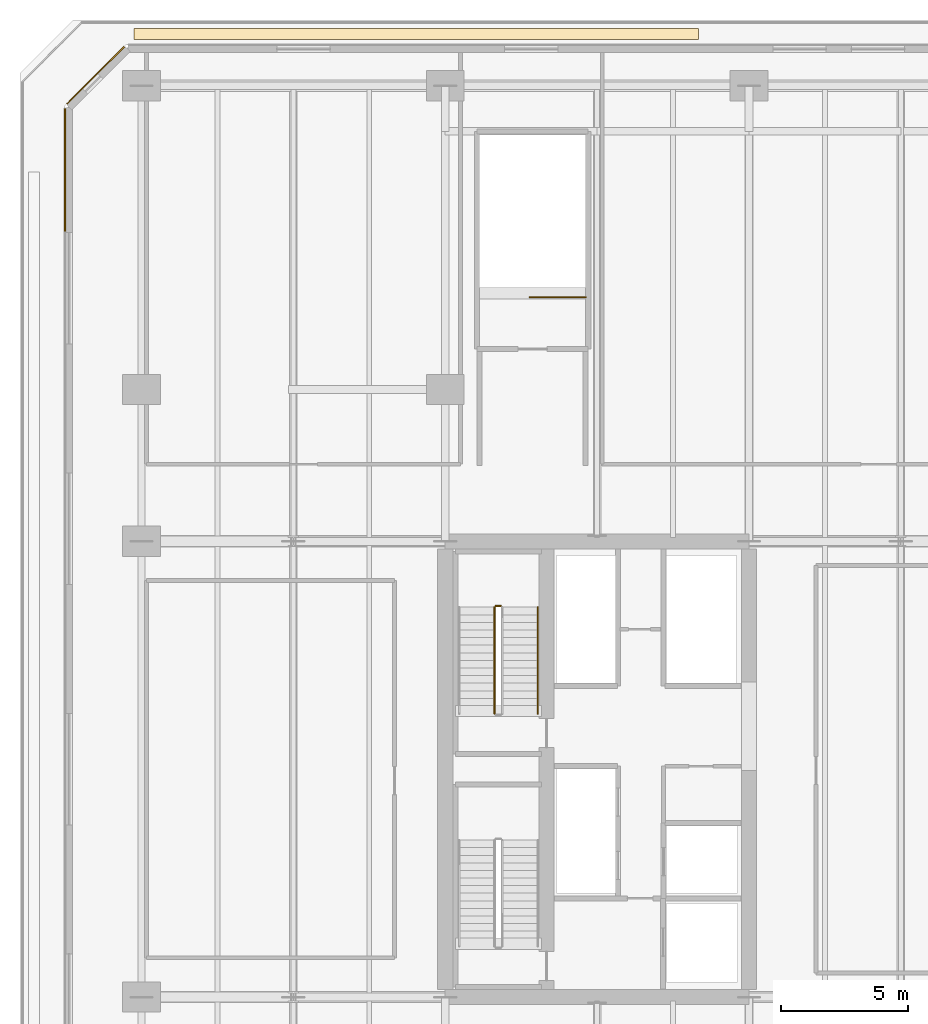
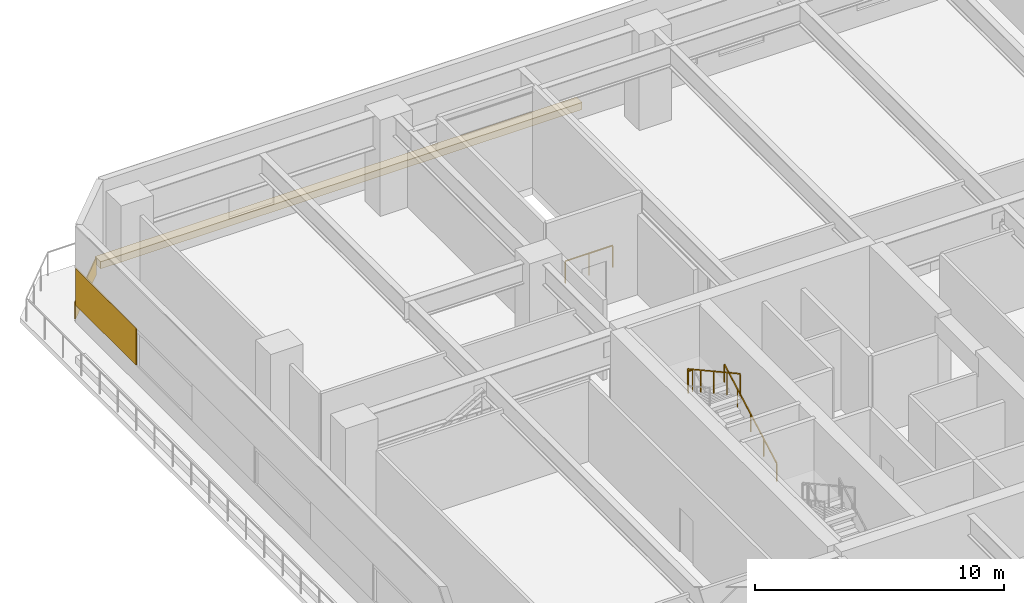
# One storey, part 20 of 25: 4 railings, 3 coverings.
"""IFC4 building model written with IfcOpenShell, lengths in metres."""

from ifc_helpers import new_model, si_unit, direction, frame, origin, origin_2d, place, context, subcontext, project, spatial, polyline, rectangle, outline, extrude, material, layer, layer_set, type_object, element, save


model = new_model("IFC4")

# Units and contexts
model_context = context("Model", 3, precision=1e-05, world=origin(), true_north=direction((0.0, 1.0)))
body_context = subcontext(model_context, "Body", "Model", "MODEL_VIEW")
ifc_project = project(units=[si_unit("LENGTHUNIT", "METRE"), si_unit("AREAUNIT", "SQUARE_METRE"), si_unit("VOLUMEUNIT", "CUBIC_METRE"), si_unit("PLANEANGLEUNIT", "RADIAN"), si_unit("MASSUNIT", "GRAM", prefix="KILO")], contexts=[model_context])

# Site, building, storey
site_placement = place(None, origin())
site = spatial("IfcSite", under=ifc_project, at=site_placement, CompositionType="ELEMENT")
building_placement = place(site_placement, origin())
building = spatial("IfcBuilding", under=site, at=building_placement, Name="Tanjung Sevakor Pilgrim Tower", CompositionType="ELEMENT")
storey_placement = place(building_placement, frame((0.0, 0.0, 24.090087890625)))
storey = spatial("IfcBuildingStorey", under=building, at=storey_placement, Name="L06", CompositionType="ELEMENT", Elevation=24.090087890625)

# Coverings
ifc_material_1 = material(Name="Reconstructed Limestone Cladding", Category="masonry")
ifc_layer_1 = layer(ifc_material_1, 0.044921875)
ifc_layer_set_1 = layer_set([ifc_layer_1], Name="COV-CLAD-LIMESTONE")
covering_type_1 = type_object("IfcCoveringType", Name="COV-CLAD-LIMESTONE", PredefinedType="CLADDING", material=ifc_layer_set_1)
covering_1_placement = place(storey_placement, frame((10.18408203125, 61.015869140625, 0.009765625), z_axis=(0.0, 0.0, 1.0), x_axis=(-0.707106781187, -0.707106781187, 0.0)))
element("IfcCovering", 1, at=covering_1_placement, inside=storey, type_object=covering_type_1, Name="L06 Warm Limestone Sill Spandrel EW-L06-MAIN-6-1", PredefinedType="CLADDING", context=body_context, shape_type="SweptSolid", body=[
    extrude(rectangle(XDim=3.197998046875, YDim=0.044921875, at=origin_2d()), origin(), (0.0, 0.0, 1.0), 0.840087890625),
])
covering_2_placement = place(storey_placement, frame((8.9775390625, 57.27587890625, 0.849853515625), z_axis=(0.0, 0.0, 1.0), x_axis=(0.0, -1.0, 0.0)))
element("IfcCovering", 2, at=covering_2_placement, inside=storey, type_object=covering_type_1, Name="L06 Warm Limestone Pier Panel EW-L06-MAIN-7-1", PredefinedType="CLADDING", context=body_context, shape_type="SweptSolid", body=[
    extrude(rectangle(XDim=4.85205078125, YDim=0.044921875, at=origin_2d()), origin(), (0.0, 0.0, 1.0), 1.81005859375),
])
ifc_material_2 = material(Name="Vegetated Modular Planter Assembly", Category="organic")
ifc_layer_2 = layer(ifc_material_2, 0.35009765625)
ifc_layer_set_2 = layer_set([ifc_layer_2], Name="COV-GRN-TROUGH")
covering_type_2 = type_object("IfcCoveringType", Name="COV-GRN-TROUGH", PredefinedType="CLADDING", material=ifc_layer_set_2)
covering_3_placement = place(storey_placement, origin())
element("IfcCovering", 3, at=covering_3_placement, inside=storey, type_object=covering_type_2, Name="L06 Planted Landscape Hedge Trough PGRN-L06-NW", PredefinedType="CLADDING", context=body_context, shape_type="SweptSolid", body=[
    extrude(outline(polyline([(11.699951171875, 62.429931640625), (34.0, 62.429931640625), (34.0, 62.8701171875), (11.699951171875, 62.8701171875), (11.699951171875, 62.429931640625)])), origin(), (0.0, 0.0, 1.0), 0.349853515625),
])

# Railings
ifc_material_3 = material(Name="Steel S355J2", Category="steel")
railing_type_1 = type_object("IfcRailingType", Name="RL-STAIR-GUARD", PredefinedType="GUARDRAIL", material=ifc_material_3)
railing_1_placement = place(storey_placement, frame((26.199951171875, 40.050048828125, 2.474853515625)))
element("IfcRailing", 4, at=railing_1_placement, inside=storey, type_object=railing_type_1, Name="L06 TS-W2 stair guard 2", PredefinedType="GUARDRAIL", context=body_context, shape_type="SweptSolid", body=[
    extrude(rectangle(XDim=0.0479, YDim=0.0479), frame((0.0, 0.0, 1.076171875), z_axis=(-1.0, 0.0, 0.0), x_axis=(0.0, -1.0, 0.0)), (0.0, 0.0, 1.0), 0.199951171875),
    extrude(rectangle(XDim=0.042, YDim=0.042), origin(), (0.0, 0.0, 1.0), 1.052001953125),
    extrude(rectangle(XDim=0.042, YDim=0.042), frame((-0.199951171875, 0.0, 0.0)), (0.0, 0.0, 1.0), 1.052001953125),
])
railing_2_placement = place(storey_placement, frame((25.949951171875, 40.0, 2.639892578125)))
element("IfcRailing", 5, at=railing_2_placement, inside=storey, type_object=railing_type_1, Name="L06 TS-W2 stair guard 3", PredefinedType="GUARDRAIL", context=body_context, shape_type="SweptSolid", body=[
    extrude(rectangle(XDim=0.0479, YDim=0.0479), frame((0.0, 0.0, 1.076171875), z_axis=(0.0, -0.876208380975, 0.481932436249), x_axis=(1.0, 0.0, 0.0)), (0.0, 0.0, 1.0), 4.793212890625),
    extrude(rectangle(XDim=0.042, YDim=0.042), origin(), (0.0, 0.0, 1.0), 1.052001953125),
    extrude(rectangle(XDim=0.042, YDim=0.042), frame((0.0, -1.050048828125, 0.57763671875)), (0.0, 0.0, 1.0), 1.052001953125),
    extrude(rectangle(XDim=0.042, YDim=0.042), frame((0.0, -2.10009765625, 1.155029296875)), (0.0, 0.0, 1.0), 1.052001953125),
    extrude(rectangle(XDim=0.042, YDim=0.042), frame((0.0, -3.14990234375, 1.732421875)), (0.0, 0.0, 1.0), 1.052001953125),
    extrude(rectangle(XDim=0.042, YDim=0.042), frame((0.0, -4.199951171875, 2.31005859375)), (0.0, 0.0, 1.0), 1.052001953125),
])
railing_3_placement = place(storey_placement, frame((29.550048828125, 52.25, 0.0)))
element("IfcRailing", 6, at=railing_3_placement, inside=storey, type_object=railing_type_1, Name="L06 PS-2 top well guard 1", PredefinedType="GUARDRAIL", context=body_context, shape_type="SweptSolid", body=[
    extrude(rectangle(XDim=0.0479, YDim=0.0479), frame((0.0, 0.0, 1.076171875), z_axis=(-1.0, 0.0, 0.0), x_axis=(0.0, -1.0, 0.0)), (0.0, 0.0, 1.0), 2.199951171875),
    extrude(rectangle(XDim=0.042, YDim=0.042), origin(), (0.0, 0.0, 1.0), 1.052001953125),
    extrude(rectangle(XDim=0.042, YDim=0.042), frame((-1.10009765625, 0.0, 0.0)), (0.0, 0.0, 1.0), 1.052001953125),
    extrude(rectangle(XDim=0.042, YDim=0.042), frame((-2.199951171875, 0.0, 0.0)), (0.0, 0.0, 1.0), 1.052001953125),
])
ifc_material_4 = material(Name="Steel S355J2", Category="steel")
railing_type_2 = type_object("IfcRailingType", Name="RL-STAIR-HAND", PredefinedType="HANDRAIL", material=ifc_material_4)
railing_4_placement = place(storey_placement, frame((27.64990234375, 35.800048828125, 0.164794921875)))
element("IfcRailing", 7, at=railing_4_placement, inside=storey, type_object=railing_type_2, Name="L06 TS-W2 stair handrail 1", PredefinedType="HANDRAIL", context=body_context, shape_type="SweptSolid", body=[
    extrude(rectangle(XDim=0.0479, YDim=0.0479), frame((0.0, 0.0, 0.8759765625), z_axis=(0.0, 0.876208380975, 0.481932436249), x_axis=(-1.0, 0.0, 0.0)), (0.0, 0.0, 1.0), 4.793212890625),
    extrude(rectangle(XDim=0.042, YDim=0.042), origin(), (0.0, 0.0, 1.0), 0.851806640625),
    extrude(rectangle(XDim=0.042, YDim=0.042), frame((0.0, 1.050048828125, 0.57763671875)), (0.0, 0.0, 1.0), 0.851806640625),
    extrude(rectangle(XDim=0.042, YDim=0.042), frame((0.0, 2.10009765625, 1.155029296875)), (0.0, 0.0, 1.0), 0.851806640625),
    extrude(rectangle(XDim=0.042, YDim=0.042), frame((0.0, 3.14990234375, 1.732421875)), (0.0, 0.0, 1.0), 0.851806640625),
    extrude(rectangle(XDim=0.042, YDim=0.042), frame((0.0, 4.199951171875, 2.31005859375)), (0.0, 0.0, 1.0), 0.851806640625),
])

save(model, "model.ifc")
